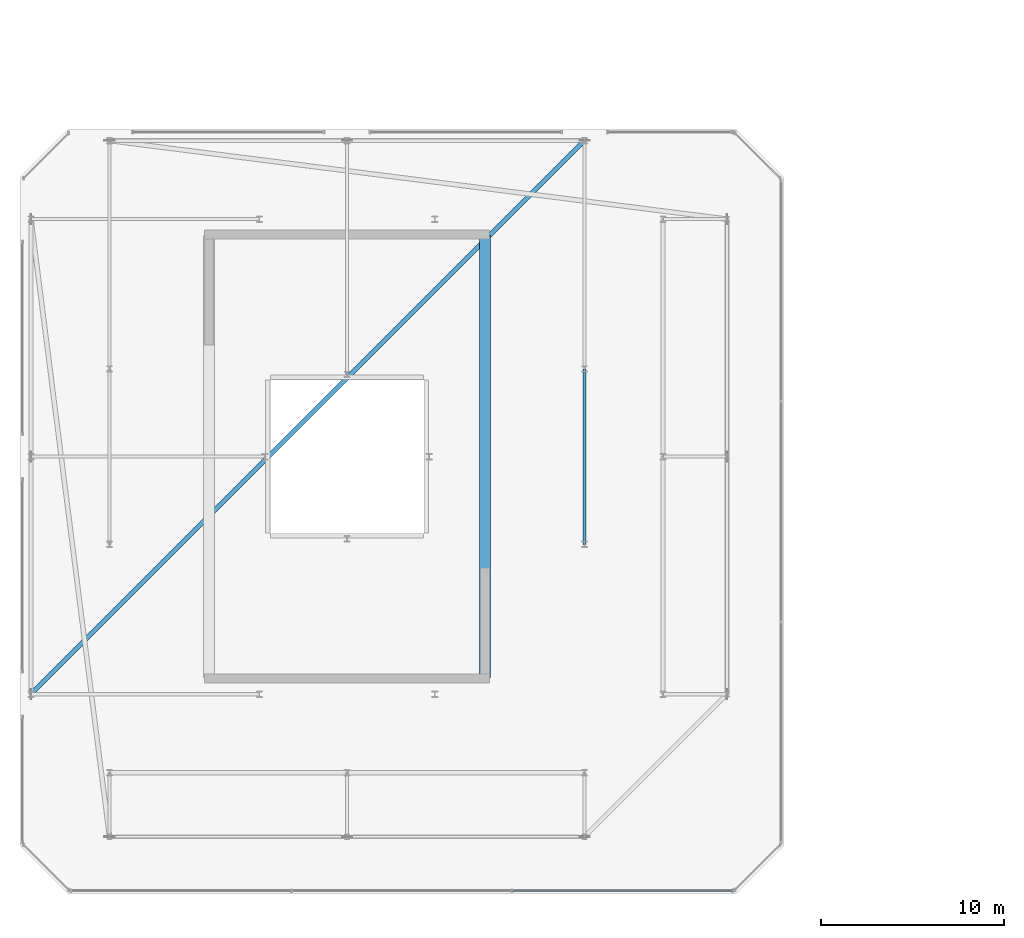
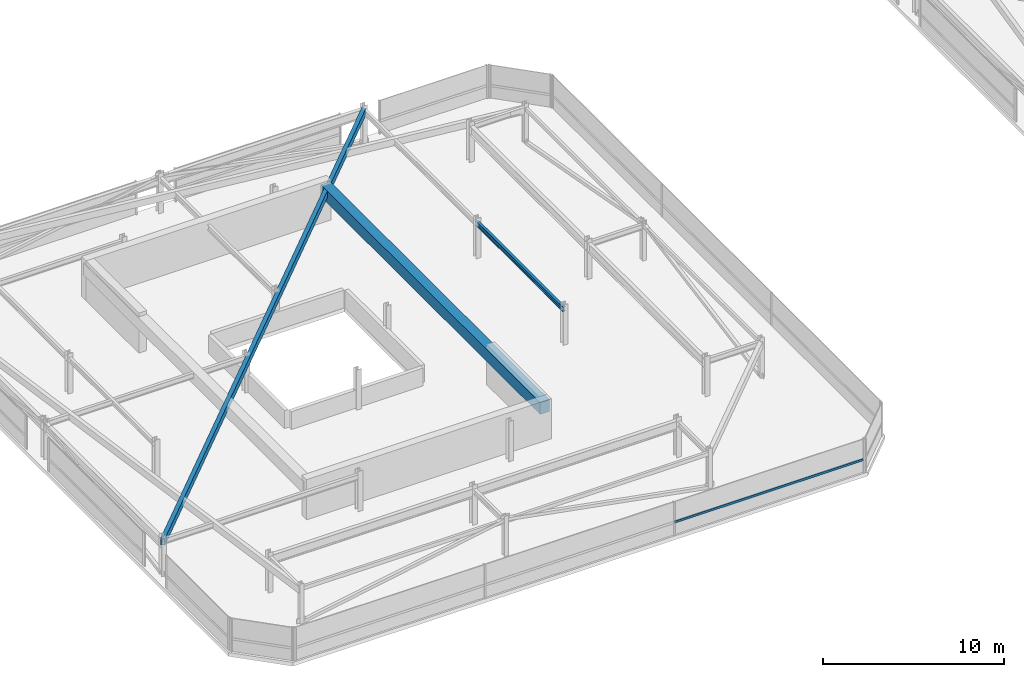
# One storey, part 17 of 44: 3 beams, 1 member, 1 element without a shape of its own.
"""IFC4 building model written with IfcOpenShell, lengths in metres."""

from ifc_helpers import new_model, si_unit, direction, frame, origin, origin_2d, place, context, subcontext, project, spatial, rectangle, hollow_rectangle, i_section, extrude, material, material_profile, profile_set, type_object, element, aggregate, save


model = new_model("IFC4")

# Units and contexts
model_context = context("Model", 3, precision=1e-05, world=origin(), true_north=direction((0.0, 1.0)))
body_context = subcontext(model_context, "Body", "Model", "MODEL_VIEW")
ifc_project = project(units=[si_unit("LENGTHUNIT", "METRE"), si_unit("AREAUNIT", "SQUARE_METRE"), si_unit("VOLUMEUNIT", "CUBIC_METRE"), si_unit("PLANEANGLEUNIT", "RADIAN"), si_unit("MASSUNIT", "GRAM", prefix="KILO")], contexts=[model_context])

# Site, building, storey
site_placement = place(None, origin())
site = spatial("IfcSite", under=ifc_project, at=site_placement, CompositionType="ELEMENT")
building_placement = place(site_placement, origin())
building = spatial("IfcBuilding", under=site, at=building_placement, Name="Thornwick Lancets Civic Towers", CompositionType="ELEMENT")
storey_placement = place(building_placement, frame((0.0, 0.0, 292.199951171875)))
storey = spatial("IfcBuildingStorey", under=building, at=storey_placement, Name="C05", CompositionType="ELEMENT", Elevation=292.199951171875)

# Beams
ifc_material_1 = material(Name="Concrete C60/75", Category="concrete")
ifc_material_profile_1 = material_profile(ifc_material_1, rectangle(XDim=0.60009765625, YDim=0.800048828125, at=origin_2d()), Name="RC 600x800")
ifc_profile_set_1 = profile_set([ifc_material_profile_1], Name="Concrete C60/75")
beam_type_1 = type_object("IfcBeamType", Name="BM_COUP_RC800", PredefinedType="BEAM", material=ifc_profile_set_1)
beam_1_placement = place(storey_placement, frame((33.050048828125, 14.89990234375, 2.0400390625), z_axis=(0.0, 1.0, 0.0), x_axis=(-1.0, 0.0, 0.0)))
element("IfcBeam", 1, at=beam_1_placement, inside=storey, type_object=beam_type_1, Name="CB-C05-A1", PredefinedType="BEAM", context=body_context, shape_type="SweptSolid", body=[
    extrude(rectangle(XDim=0.60009765625, YDim=0.800048828125, at=origin_2d()), origin(), (0.0, 0.0, 1.0), 24.2001953125),
])
ifc_material_2 = material(Name="Steel S355JR", Category="steel")
ifc_material_profile_2 = material_profile(ifc_material_2, i_section(OverallWidth=0.1669921875, OverallDepth=0.310302734375, WebThickness=0.0078125, FlangeThickness=0.013671875, FilletRadius=0.0087890625, at=origin_2d()), Name="UKB 305x165x54")
ifc_profile_set_2 = profile_set([ifc_material_profile_2], Name="Steel S355JR")
beam_type_2 = type_object("IfcBeamType", Name="BM_LINTEL_305_54", PredefinedType="LINTEL", material=ifc_profile_set_2)
beam_2_placement = place(storey_placement, frame((38.5, 22.199951171875, 2.284912109375), z_axis=(0.0, 1.0, 0.0), x_axis=(-1.0, 0.0, 0.0)))
element("IfcBeam", 2, at=beam_2_placement, inside=storey, type_object=beam_type_2, Name="BM-INSP-C05-A-1-3", PredefinedType="LINTEL", context=body_context, shape_type="SweptSolid", body=[
    extrude(i_section(OverallWidth=0.1669921875, OverallDepth=0.310302734375, WebThickness=0.0078125, FlangeThickness=0.013671875, FilletRadius=0.0087890625, at=origin_2d()), origin(), (0.0, 0.0, 1.0), 9.60009765625),
])
ifc_material_profile_3 = material_profile(ifc_material_2, hollow_rectangle(XDim=0.25, YDim=0.449951171875, WallThickness=0.01611328125, at=origin_2d()), Name="RHS 450x250x16")
ifc_profile_set_3 = profile_set([ifc_material_profile_3], Name="Steel S355JR")
beam_type_3 = type_object("IfcBeamType", Name="BM_RING_RHS450", PredefinedType="BEAM", material=ifc_profile_set_3)
beam_3_placement = place(storey_placement, frame((38.5, 44.300048828125, 2.215087890625), z_axis=(-0.707106781187, -0.707106781187, 0.0), x_axis=(0.707106781187, -0.707106781187, 0.0)))
element("IfcBeam", 3, at=beam_3_placement, inside=storey, type_object=beam_type_3, Name="BM-CHAMF-C05-A-C2", PredefinedType="BEAM", context=body_context, shape_type="SweptSolid", body=[
    extrude(hollow_rectangle(XDim=0.25, YDim=0.449951171875, WallThickness=0.01611328125, at=origin_2d()), origin(), (0.0, 0.0, 1.0), 42.850830078125),
])

# Curtain wall, member
ifc_material_3 = material(Name="Crown ring acoustic-louvre and glazing screen wall", Category="glass")
curtain_wall_type = type_object("IfcCurtainWallType", Name="CW_SYS_07", PredefinedType="NOTDEFINED", material=ifc_material_3)
curtain_wall_placement = place(storey_placement, origin())
curtain_wall = element("IfcCurtainWall", 4, at=curtain_wall_placement, inside=storey, type_object=curtain_wall_type, Name="C05 Curtain Wall CW-C05-A-E0", PredefinedType="NOTDEFINED")
ifc_material_4 = material(Name="Thermally broken bronze aluminium S355", Category="steel")
ifc_material_profile_4 = material_profile(ifc_material_4, hollow_rectangle(XDim=0.074951171875, YDim=0.14990234375, WallThickness=0.0048828125, at=origin_2d()), Name="RHS 150x75x5")
ifc_profile_set_4 = profile_set([ifc_material_profile_4], Name="Thermally broken bronze aluminium S355")
member_type = type_object("IfcMemberType", Name="CW_TRN_150", PredefinedType="USERDEFINED", material=ifc_profile_set_4)
member_placement = place(storey_placement, frame((34.5537109375, 3.2353515625, 0.85009765625), z_axis=(1.0, 0.0, 0.0), x_axis=(0.0, 1.0, 0.0)))
member = element("IfcMember", 5, at=member_placement, type_object=member_type, Name="CW-C05-A-E0 Transom 2", ObjectType="TRANSOM", PredefinedType="USERDEFINED", context=body_context, shape_type="SweptSolid", body=[
    extrude(hollow_rectangle(XDim=0.074951171875, YDim=0.14990234375, WallThickness=0.0048828125, at=origin_2d()), origin(), (0.0, 0.0, 1.0), 12.027587890625),
])
aggregate(curtain_wall, [member])

save(model, "model.ifc")
